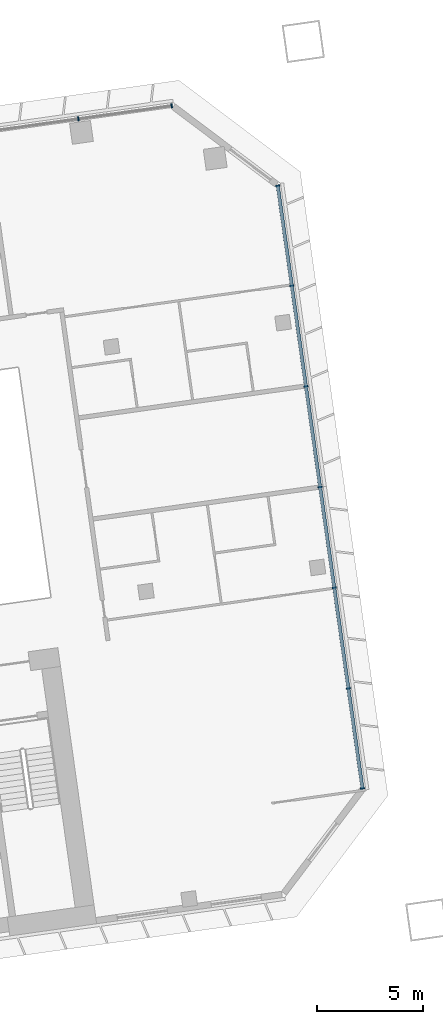
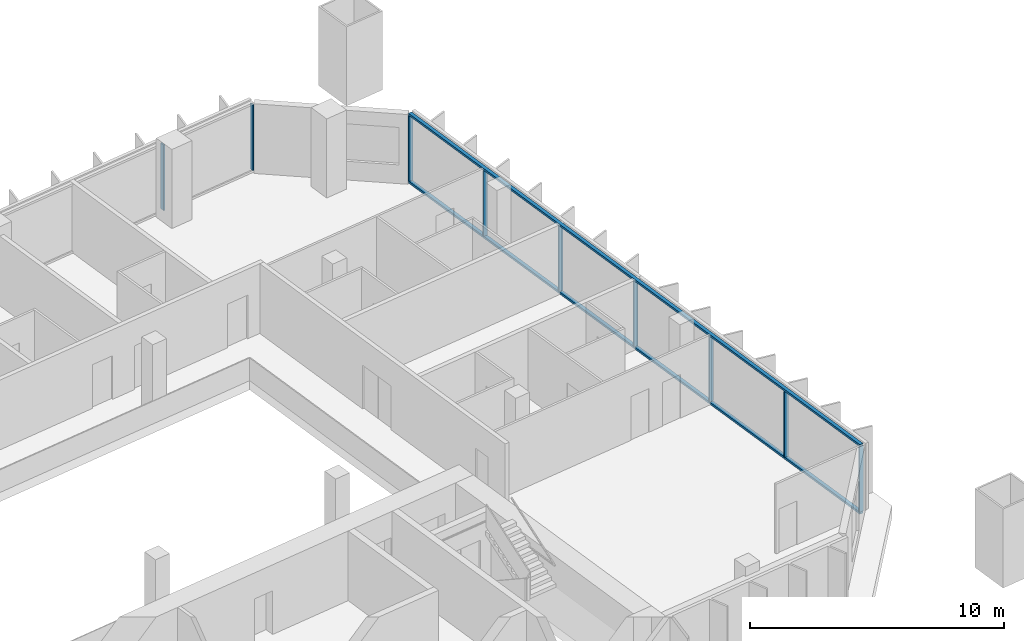
# One storey, part 11 of 24: 11 members, 2 elements without a shape of their own.
"""IFC4 building model written with IfcOpenShell, lengths in metres."""

from ifc_helpers import new_model, si_unit, direction, frame, origin, origin_2d, place, context, subcontext, project, spatial, rectangle, extrude, material, material_profile, profile_set, type_object, element, aggregate, save


model = new_model("IFC4")

# Units and contexts
model_context = context("Model", 3, precision=1e-05, world=origin(), true_north=direction((0.0, 1.0)))
body_context = subcontext(model_context, "Body", "Model", "MODEL_VIEW")
ifc_project = project(units=[si_unit("LENGTHUNIT", "METRE"), si_unit("AREAUNIT", "SQUARE_METRE"), si_unit("VOLUMEUNIT", "CUBIC_METRE"), si_unit("PLANEANGLEUNIT", "RADIAN"), si_unit("MASSUNIT", "GRAM", prefix="KILO")], contexts=[model_context])

# Site, building, storey
site_placement = place(None, origin())
site = spatial("IfcSite", under=ifc_project, at=site_placement, CompositionType="ELEMENT")
building_placement = place(site_placement, origin())
building = spatial("IfcBuilding", under=site, at=building_placement, Name="Mirante Cascada Hotel Towers", CompositionType="ELEMENT")
storey_placement = place(building_placement, frame((0.0, 0.0, 77.5)))
storey = spatial("IfcBuildingStorey", under=building, at=storey_placement, Name="L16", CompositionType="ELEMENT", Elevation=77.5)

# Curtain wall, members
ifc_material_1 = material(Name="Aluminium mullion and transom frame with clear laminated glass", Category="aluminium")
curtain_wall_type_1 = type_object("IfcCurtainWallType", Name="Ribbon curtain wall ECW1", PredefinedType="NOTDEFINED", material=ifc_material_1)
curtain_wall_1_placement = place(storey_placement, origin())
curtain_wall_1 = element("IfcCurtainWall", 1, at=curtain_wall_1_placement, inside=storey, type_object=curtain_wall_type_1, Name="Front ribbon wall T2 L16", PredefinedType="NOTDEFINED")
ifc_material_2 = material(Name="Anodised aluminium extrusion", Category="aluminium")
ifc_material_profile_1 = material_profile(ifc_material_2, rectangle(XDim=0.2, YDim=0.065, at=origin_2d()), Name="ECW1 MULLION 65x200")
ifc_profile_set_1 = profile_set([ifc_material_profile_1], Name="Anodised aluminium extrusion")
member_type_1 = type_object("IfcMemberType", Name="ECW1 mullion 65x200", PredefinedType="MULLION", material=ifc_profile_set_1)
member_1_placement = place(storey_placement, frame((94.126, 26.0476, 0.1), z_axis=(0.0, 0.0, 1.0), x_axis=(0.1391731, -0.9902681, 0.0)))
member_1 = element("IfcMember", 2, at=member_1_placement, type_object=member_type_1, Name="ECW1 mullion 1", PredefinedType="MULLION", context=body_context, shape_type="SweptSolid", body=[
    extrude(rectangle(XDim=0.2, YDim=0.065, at=origin_2d()), origin(), (0.0, 0.0, 1.0), 3.15),
])
member_2_placement = place(storey_placement, frame((89.7107, 25.427, 0.1), z_axis=(0.0, 0.0, 1.0), x_axis=(0.1391731, -0.9902681, 0.0)))
member_2 = element("IfcMember", 3, at=member_2_placement, type_object=member_type_1, Name="ECW1 mullion 2", PredefinedType="MULLION", context=body_context, shape_type="SweptSolid", body=[
    extrude(rectangle(XDim=0.2, YDim=0.065, at=origin_2d()), origin(), (0.0, 0.0, 1.0), 3.15),
])
aggregate(curtain_wall_1, [member_1, member_2])

ifc_material_3 = material(Name="Aluminium mullion and transom frame with clear laminated glass", Category="aluminium")
curtain_wall_type_2 = type_object("IfcCurtainWallType", Name="End ribbon curtain wall ECW2", PredefinedType="NOTDEFINED", material=ifc_material_3)
curtain_wall_2_placement = place(storey_placement, origin())
curtain_wall_2 = element("IfcCurtainWall", 4, at=curtain_wall_2_placement, inside=storey, type_object=curtain_wall_type_2, Name="Outer end wall T2 L16", PredefinedType="NOTDEFINED")
ifc_material_4 = material(Name="Anodised aluminium extrusion", Category="aluminium")
ifc_material_profile_2 = material_profile(ifc_material_4, rectangle(XDim=0.2, YDim=0.065, at=origin_2d()), Name="ECW2 MULLION 65x200")
ifc_profile_set_2 = profile_set([ifc_material_profile_2], Name="Anodised aluminium extrusion")
member_type_2 = type_object("IfcMemberType", Name="ECW2 mullion 65x200", PredefinedType="MULLION", material=ifc_profile_set_2)
member_3_placement = place(storey_placement, frame((103.1556, -6.2656, 0.1), z_axis=(0.0, 0.0, 1.0), x_axis=(-0.9902681, -0.1391731, 0.0)))
member_3 = element("IfcMember", 5, at=member_3_placement, type_object=member_type_2, Name="ECW2 mullion 1", PredefinedType="MULLION", context=body_context, shape_type="SweptSolid", body=[
    extrude(rectangle(XDim=0.2, YDim=0.065, at=origin_2d()), origin(), (0.0, 0.0, 1.0), 3.15),
])
member_4_placement = place(storey_placement, frame((102.4903, -1.532, 0.1), z_axis=(0.0, 0.0, 1.0), x_axis=(-0.9902681, -0.1391731, 0.0)))
member_4 = element("IfcMember", 6, at=member_4_placement, type_object=member_type_2, Name="ECW2 mullion 2", PredefinedType="MULLION", context=body_context, shape_type="SweptSolid", body=[
    extrude(rectangle(XDim=0.2, YDim=0.065, at=origin_2d()), origin(), (0.0, 0.0, 1.0), 3.15),
])
member_5_placement = place(storey_placement, frame((101.8205, 3.2338, 0.1), z_axis=(0.0, 0.0, 1.0), x_axis=(-0.9902681, -0.1391731, 0.0)))
member_5 = element("IfcMember", 7, at=member_5_placement, type_object=member_type_2, Name="ECW2 mullion 3", PredefinedType="MULLION", context=body_context, shape_type="SweptSolid", body=[
    extrude(rectangle(XDim=0.2, YDim=0.065, at=origin_2d()), origin(), (0.0, 0.0, 1.0), 3.15),
])
member_6_placement = place(storey_placement, frame((101.1508, 7.9996, 0.1), z_axis=(0.0, 0.0, 1.0), x_axis=(-0.9902681, -0.1391731, 0.0)))
member_6 = element("IfcMember", 8, at=member_6_placement, type_object=member_type_2, Name="ECW2 mullion 4", PredefinedType="MULLION", context=body_context, shape_type="SweptSolid", body=[
    extrude(rectangle(XDim=0.2, YDim=0.065, at=origin_2d()), origin(), (0.0, 0.0, 1.0), 3.15),
])
member_7_placement = place(storey_placement, frame((100.481, 12.7654, 0.1), z_axis=(0.0, 0.0, 1.0), x_axis=(-0.9902681, -0.1391731, 0.0)))
member_7 = element("IfcMember", 9, at=member_7_placement, type_object=member_type_2, Name="ECW2 mullion 5", PredefinedType="MULLION", context=body_context, shape_type="SweptSolid", body=[
    extrude(rectangle(XDim=0.2, YDim=0.065, at=origin_2d()), origin(), (0.0, 0.0, 1.0), 3.15),
])
member_8_placement = place(storey_placement, frame((99.8112, 17.5312, 0.1), z_axis=(0.0, 0.0, 1.0), x_axis=(-0.9902681, -0.1391731, 0.0)))
member_8 = element("IfcMember", 10, at=member_8_placement, type_object=member_type_2, Name="ECW2 mullion 6", PredefinedType="MULLION", context=body_context, shape_type="SweptSolid", body=[
    extrude(rectangle(XDim=0.2, YDim=0.065, at=origin_2d()), origin(), (0.0, 0.0, 1.0), 3.15),
])
member_9_placement = place(storey_placement, frame((99.1459, 22.2648, 0.1), z_axis=(0.0, 0.0, 1.0), x_axis=(-0.9902681, -0.1391731, 0.0)))
member_9 = element("IfcMember", 11, at=member_9_placement, type_object=member_type_2, Name="ECW2 mullion 7", PredefinedType="MULLION", context=body_context, shape_type="SweptSolid", body=[
    extrude(rectangle(XDim=0.2, YDim=0.065, at=origin_2d()), origin(), (0.0, 0.0, 1.0), 3.15),
])
ifc_material_5 = material(Name="Anodised aluminium extrusion", Category="aluminium")
ifc_material_profile_3 = material_profile(ifc_material_5, rectangle(XDim=0.16, YDim=0.1, at=origin_2d()), Name="ECW2 TRANSOM 100x160")
ifc_profile_set_3 = profile_set([ifc_material_profile_3], Name="Anodised aluminium extrusion")
member_type_3 = type_object("IfcMemberType", Name="ECW2 transom 100x160", PredefinedType="USERDEFINED", material=ifc_profile_set_3)
member_10_placement = place(storey_placement, frame((103.1601, -6.2978, 0.05), z_axis=(-0.1391723, 0.9902682, 0.0), x_axis=(-0.9902682, -0.1391723, 0.0)))
member_10 = element("IfcMember", 12, at=member_10_placement, type_object=member_type_3, Name="ECW2 sill transom", ObjectType="TRANSOM", PredefinedType="USERDEFINED", context=body_context, shape_type="SweptSolid", body=[
    extrude(rectangle(XDim=0.16, YDim=0.1, at=origin_2d()), origin(), (0.0, 0.0, 1.0), 28.8757),
])
member_11_placement = place(storey_placement, frame((103.1601, -6.2978, 3.3), z_axis=(-0.1391723, 0.9902682, 0.0), x_axis=(-0.9902682, -0.1391723, 0.0)))
member_11 = element("IfcMember", 13, at=member_11_placement, type_object=member_type_3, Name="ECW2 head transom", ObjectType="TRANSOM", PredefinedType="USERDEFINED", context=body_context, shape_type="SweptSolid", body=[
    extrude(rectangle(XDim=0.16, YDim=0.1, at=origin_2d()), origin(), (0.0, 0.0, 1.0), 28.8757),
])
aggregate(curtain_wall_2, [member_10, member_11, member_3, member_4, member_5, member_6, member_7, member_8, member_9])

save(model, "model.ifc")
